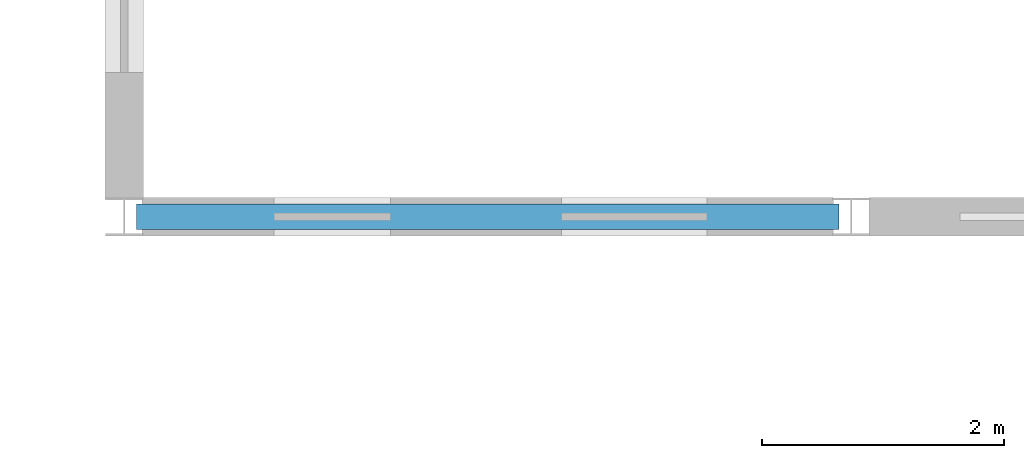
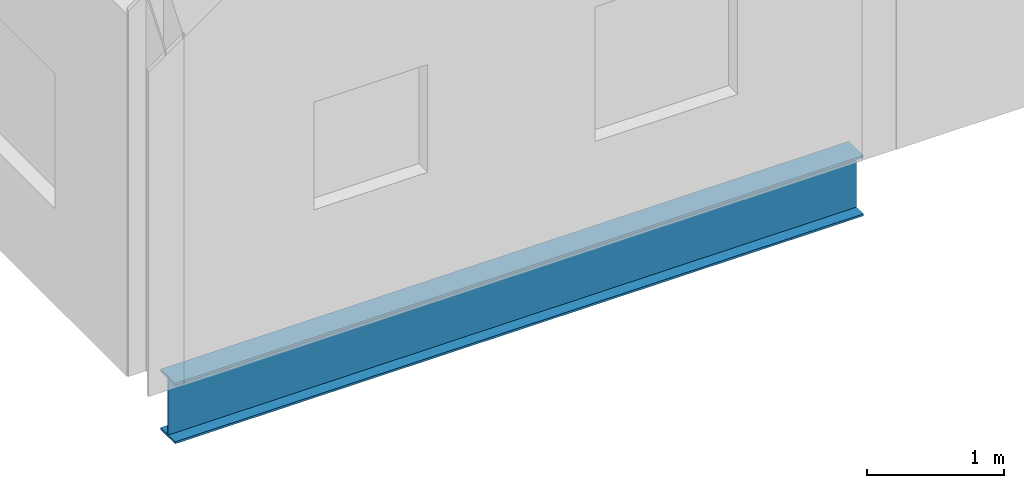
# One storey, part 16 of 92: 1 beam.
"""IFC4 building model written with IfcOpenShell, lengths in metres."""

from ifc_helpers import new_model, si_unit, direction, frame, origin, origin_2d, place, context, subcontext, project, spatial, i_section, extrude, material, material_profile, profile_set, type_object, element, save


model = new_model("IFC4")

# Units and contexts
model_context = context("Model", 3, precision=1e-05, world=origin(), true_north=direction((0.0, 1.0)))
body_context = subcontext(model_context, "Body", "Model", "MODEL_VIEW")
ifc_project = project(units=[si_unit("LENGTHUNIT", "METRE"), si_unit("AREAUNIT", "SQUARE_METRE"), si_unit("VOLUMEUNIT", "CUBIC_METRE"), si_unit("PLANEANGLEUNIT", "RADIAN"), si_unit("MASSUNIT", "GRAM", prefix="KILO")], contexts=[model_context])

# Site, building, storey
site_placement = place(None, origin())
site = spatial("IfcSite", under=ifc_project, at=site_placement, CompositionType="ELEMENT")
building_placement = place(site_placement, origin())
building = spatial("IfcBuilding", under=site, at=building_placement, Name="Siltcreek Boulevard Central Fire Station", CompositionType="ELEMENT")
storey_placement = place(building_placement, frame((0.0, 0.0, 6.0)))
storey = spatial("IfcBuildingStorey", under=building, at=storey_placement, Name="L02", CompositionType="ELEMENT", Elevation=6.0)

# Beam
ifc_material = material(Name="Structural steel ASTM A992 Gr50", Category="steel")
ifc_material_profile = material_profile(ifc_material, i_section(OverallWidth=0.2109375, OverallDepth=0.5390625, WebThickness=0.01171875, FlangeThickness=0.018798828125, at=origin_2d()), Name="W530X109")
ifc_profile_set = profile_set([ifc_material_profile], Name="Structural steel ASTM A992 Gr50")
beam_type = type_object("IfcBeamType", Name="BM_W530X109", PredefinedType="BEAM", material=ifc_profile_set)
beam_placement = place(storey_placement, frame((1.89990234375, 18.0, -0.26953125), z_axis=(1.0, 0.0, 0.0), x_axis=(0.0, 1.0, 0.0)))
element("IfcBeam", 1, at=beam_placement, inside=storey, type_object=beam_type, Name="L02 primary steel girder GX-0138", PredefinedType="BEAM", context=body_context, shape_type="SweptSolid", body=[
    extrude(i_section(OverallWidth=0.2109375, OverallDepth=0.5390625, WebThickness=0.01171875, FlangeThickness=0.018798828125, at=origin_2d()), origin(), (0.0, 0.0, 1.0), 5.800048828125),
])

save(model, "model.ifc")
